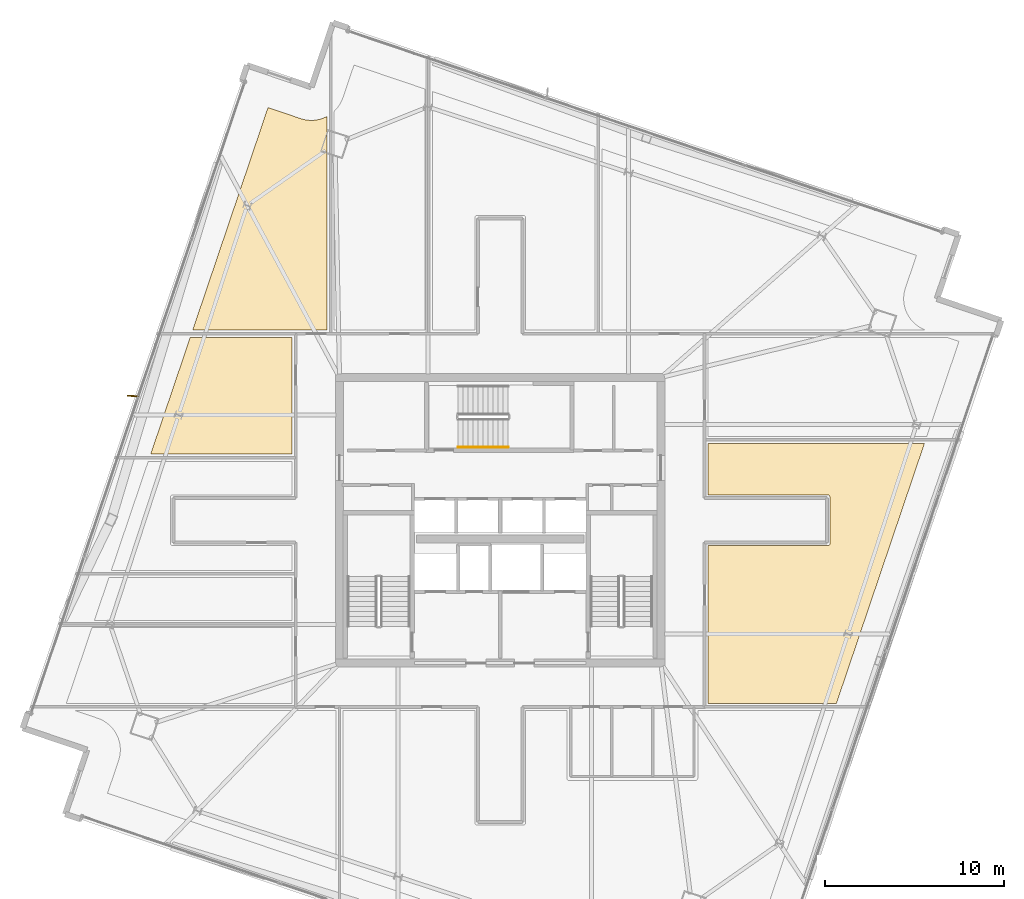
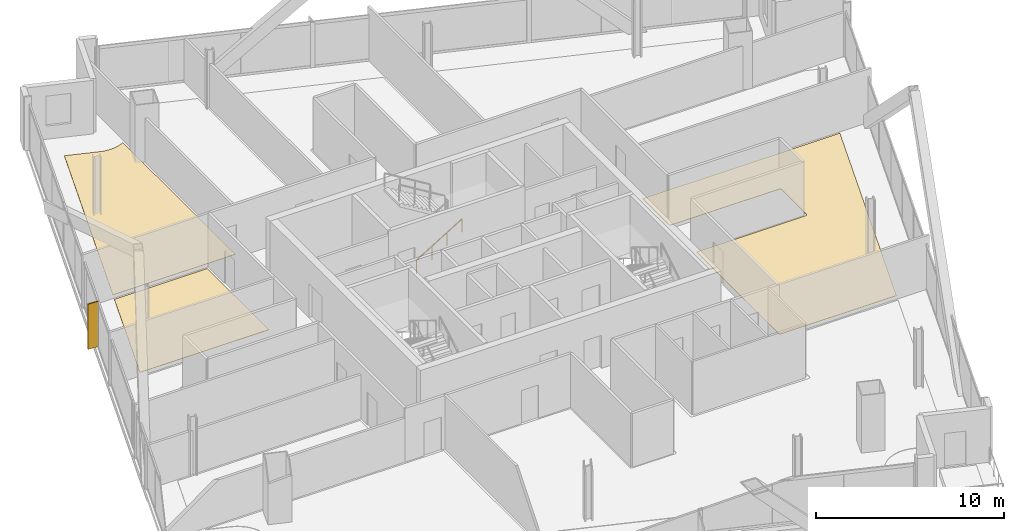
# One storey, part 27 of 29: 3 coverings, 1 railing, 1 shading device.
"""IFC4 building model written with IfcOpenShell, lengths in metres."""

from ifc_helpers import new_model, si_unit, direction, frame, origin, origin_2d, place, context, subcontext, project, spatial, polyline, rectangle, outline, extrude, source, transform, mapped, material, layer, layer_set, type_object, element, save


model = new_model("IFC4")

# Units and contexts
model_context = context("Model", 3, precision=1e-05, world=origin(), true_north=direction((0.0, 1.0)))
body_context = subcontext(model_context, "Body", "Model", "MODEL_VIEW")
ifc_project = project(units=[si_unit("LENGTHUNIT", "METRE"), si_unit("AREAUNIT", "SQUARE_METRE"), si_unit("VOLUMEUNIT", "CUBIC_METRE"), si_unit("PLANEANGLEUNIT", "RADIAN"), si_unit("MASSUNIT", "GRAM", prefix="KILO")], contexts=[model_context])

# Site, building, storey
site_placement = place(None, origin())
site = spatial("IfcSite", under=ifc_project, at=site_placement, CompositionType="ELEMENT")
building_placement = place(site_placement, origin())
building = spatial("IfcBuilding", under=site, at=building_placement, Name="Haldenkirk Collegiate Tower", CompositionType="ELEMENT")
storey_placement = place(building_placement, frame((0.0, 0.0, 267.449951171875)))
storey = spatial("IfcBuildingStorey", under=building, at=storey_placement, Name="L67", CompositionType="ELEMENT", Elevation=267.449951171875)

# Coverings
ifc_material_1 = material(Name="Polished collegiate terrazzo", Category="concrete")
ifc_layer_1 = layer(ifc_material_1, 0.02490234375)
ifc_layer_set_1 = layer_set([ifc_layer_1], Name="Polished collegiate terrazzo")
covering_type_1 = type_object("IfcCoveringType", Name="COV-FLOOR-TERRAZZO", PredefinedType="FLOORING", material=ifc_layer_set_1)
covering_1_placement = place(storey_placement, origin())
element("IfcCovering", 1, at=covering_1_placement, inside=storey, type_object=covering_type_1, Name="L67 academic room finish 10", PredefinedType="FLOORING", context=body_context, shape_type="SweptSolid", body=[
    extrude(outline(polyline([(18.639892578125, 36.25), (24.35009765625, 36.25), (24.35009765625, 29.699951171875), (16.4228515625, 29.699951171875), (18.639892578125, 36.25)])), origin(), (0.0, 0.0, 1.0), 0.025146484375),
])
ifc_material_2 = material(Name="Engineered collegiate oak acoustic flooring", Category="wood")
ifc_layer_2 = layer(ifc_material_2, 0.02197265625)
ifc_layer_set_2 = layer_set([ifc_layer_2], Name="Engineered collegiate oak acoustic flooring")
covering_type_2 = type_object("IfcCoveringType", Name="COV-FLOOR-TIMBER", PredefinedType="FLOORING", material=ifc_layer_set_2)
covering_2_placement = place(storey_placement, origin())
element("IfcCovering", 2, at=covering_2_placement, inside=storey, type_object=covering_type_2, Name="L67 academic room finish 03", PredefinedType="FLOORING", context=body_context, shape_type="SweptSolid", body=[
    extrude(outline(polyline([(24.82421875, 48.5009765625), (24.829833984375, 48.499267578125), (24.9951171875, 48.4521484375), (25.00634765625, 48.449462890625), (25.17529296875, 48.4189453125), (25.18701171875, 48.41748046875), (25.358154296875, 48.403564453125), (25.369873046875, 48.403076171875), (25.541748046875, 48.406005859375), (25.553466796875, 48.40673828125), (25.72412109375, 48.426513671875), (25.735595703125, 48.428466796875), (25.903564453125, 48.46484375), (25.914794921875, 48.468017578125), (26.078369140625, 48.520751953125), (26.08935546875, 48.52490234375), (26.246826171875, 48.59326171875), (26.257568359375, 48.598388671875), (26.300048828125, 48.622314453125), (26.300048828125, 36.64990234375), (18.775146484375, 36.64990234375), (22.99609375, 49.119873046875), (24.82421875, 48.5009765625)])), origin(), (0.0, 0.0, 1.0), 0.02197265625),
])
covering_3_placement = place(storey_placement, origin())
element("IfcCovering", 3, at=covering_3_placement, inside=storey, type_object=covering_type_2, Name="L67 academic room finish 11", PredefinedType="FLOORING", context=body_context, shape_type="SweptSolid", body=[
    extrude(outline(polyline([(54.838134765625, 15.75), (47.64990234375, 15.75), (47.64990234375, 24.580078125), (54.35009765625, 24.580078125), (54.36181640625, 24.58056640625), (54.373291015625, 24.582275390625), (54.384765625, 24.585205078125), (54.39599609375, 24.589111328125), (54.406494140625, 24.59423828125), (54.416748046875, 24.60009765625), (54.426025390625, 24.607177734375), (54.434814453125, 24.614990234375), (54.44287109375, 24.623779296875), (54.44970703125, 24.63330078125), (54.455810546875, 24.643310546875), (54.4609375, 24.654052734375), (54.46484375, 24.665283203125), (54.4677734375, 24.676513671875), (54.469482421875, 24.688232421875), (54.469970703125, 24.699951171875), (54.469970703125, 27.300048828125), (54.469482421875, 27.311767578125), (54.4677734375, 27.323486328125), (54.46484375, 27.334716796875), (54.4609375, 27.345947265625), (54.455810546875, 27.356689453125), (54.44970703125, 27.36669921875), (54.44287109375, 27.376220703125), (54.434814453125, 27.385009765625), (54.426025390625, 27.392822265625), (54.416748046875, 27.39990234375), (54.406494140625, 27.40576171875), (54.39599609375, 27.410888671875), (54.384765625, 27.414794921875), (54.373291015625, 27.417724609375), (54.36181640625, 27.41943359375), (54.35009765625, 27.419921875), (47.64990234375, 27.419921875), (47.64990234375, 30.300048828125), (59.76318359375, 30.300048828125), (54.838134765625, 15.75)])), origin(), (0.0, 0.0, 1.0), 0.02197265625),
])

# Railing
ifc_material_3 = material(Name="Painted architectural tubular steel", Category="steel")
railing_type = type_object("IfcRailingType", Name="RLG-STAIR-HANDRAIL-900", PredefinedType="HANDRAIL", material=ifc_material_3)
railing_placement = place(storey_placement, frame((33.64990234375, 30.10009765625, 0.17041015625)))
element("IfcRailing", 4, at=railing_placement, inside=storey, type_object=railing_type, Name="L67 ST-3 stair handrail 1", PredefinedType="HANDRAIL", context=body_context, shape_type="SweptSolid", body=[
    extrude(rectangle(XDim=0.048095703125, YDim=0.048095703125, at=origin_2d()), frame((0.0, 0.0, 0.8759765625), z_axis=(0.854169791009, 0.0, 0.51999420009), x_axis=(0.0, 1.0, 0.0)), (0.0, 0.0, 1.0), 3.278076171875),
    extrude(rectangle(XDim=0.0419921875, YDim=0.0419921875, at=origin_2d()), origin(), (0.0, 0.0, 1.0), 0.851806640625),
    extrude(rectangle(XDim=0.0419921875, YDim=0.0419921875, at=origin_2d()), frame((0.933349609375, 0.0, 0.568115234375)), (0.0, 0.0, 1.0), 0.851806640625),
    extrude(rectangle(XDim=0.0419921875, YDim=0.0419921875, at=origin_2d()), frame((1.86669921875, 0.0, 1.136474609375)), (0.0, 0.0, 1.0), 0.851806640625),
    extrude(rectangle(XDim=0.0419921875, YDim=0.0419921875, at=origin_2d()), frame((2.800048828125, 0.0, 1.70458984375)), (0.0, 0.0, 1.0), 0.851806640625),
])

# Shading device
ifc_material_4 = material(Name="Anodised architectural bronze aluminium", Category="aluminium")
ifc_layer_3 = layer(ifc_material_4, 0.06494140625)
ifc_layer_set_3 = layer_set([ifc_layer_3], Name="Anodised architectural bronze aluminium")
shading_device_type = type_object("IfcShadingDeviceType", Name="SHD-FIN-BRONZE-620", PredefinedType="USERDEFINED", material=ifc_layer_set_3)
shared_shape = source(origin(), body_context, "Body", "SweptSolid", [
    extrude(rectangle(XDim=0.6201171875, YDim=0.06494140625, at=origin_2d()), origin(), (0.0, 0.0, 1.0), 2.93798828125),
])
shading_device_placement = place(storey_placement, frame((15.431396484375, 32.962158203125, 0.0), z_axis=(0.0, 0.0, 1.0), x_axis=(-0.998889874962, 0.04710645071, 0.0)))
element("IfcShadingDevice", 5, at=shading_device_placement, inside=storey, type_object=shading_device_type, Name="L67 folded bronze solar fin 1", ObjectType="FIN", PredefinedType="USERDEFINED", context=body_context, shape_type="MappedRepresentation", body=[
    mapped(shared_shape, transform((0.0, 0.0, 0.0), x_axis=(1.0, 0.0, 0.0), y_axis=(0.0, 1.0, 0.0), z_axis=(0.0, 0.0, 1.0), scale=1.0)),
])

save(model, "model.ifc")
